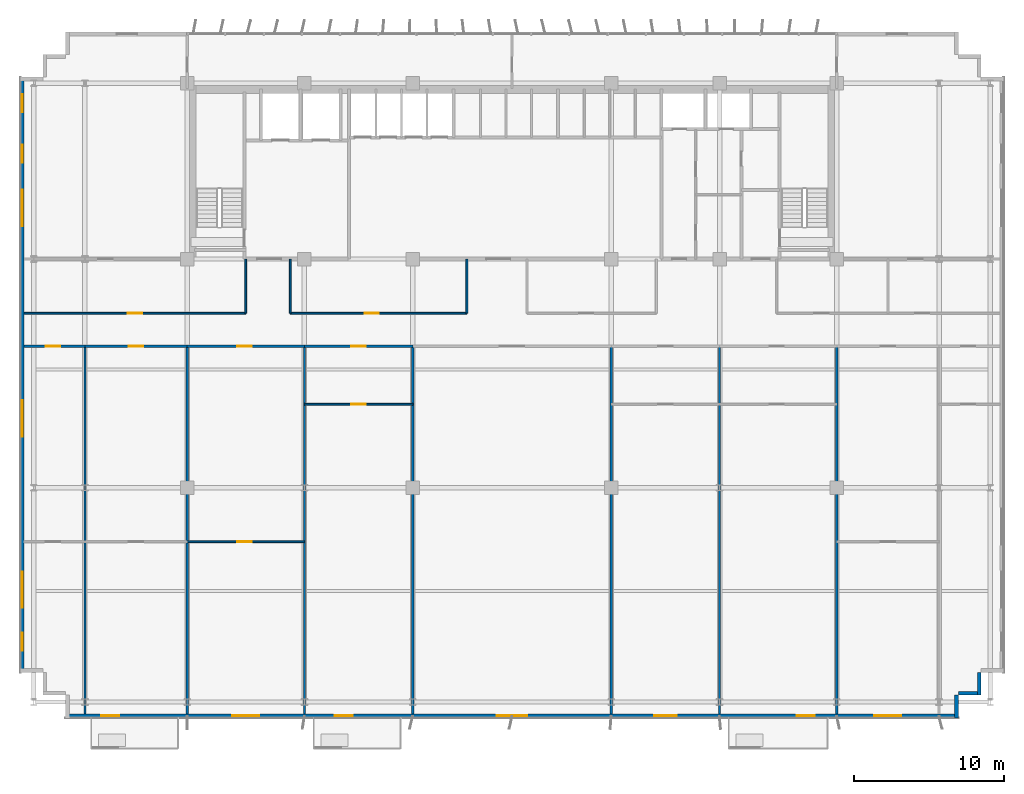
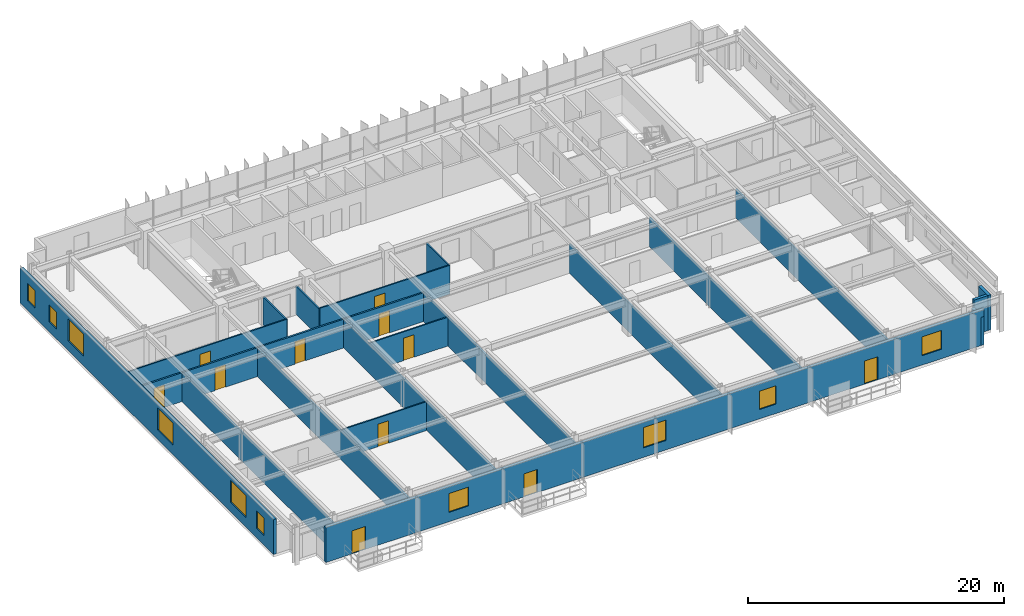
# One storey, part 15 of 21: 23 walls, 11 doors, 10 windows, 21 openings.
"""IFC4 building model written with IfcOpenShell, lengths in metres."""

from ifc_helpers import new_model, si_unit, direction, frame, frame_2d, origin, place, context, subcontext, project, spatial, rectangle, extrude, source, transform, mapped, material, layer, layer_set, type_object, element, fill, save


model = new_model("IFC4")

# Units and contexts
model_context = context("Model", 3, precision=1e-05, world=origin(), true_north=direction((0.0, 1.0)))
body_context = subcontext(model_context, "Body", "Model", "MODEL_VIEW")
ifc_project = project(units=[si_unit("LENGTHUNIT", "METRE"), si_unit("AREAUNIT", "SQUARE_METRE"), si_unit("VOLUMEUNIT", "CUBIC_METRE"), si_unit("PLANEANGLEUNIT", "RADIAN"), si_unit("MASSUNIT", "GRAM", prefix="KILO")], contexts=[model_context])

# Site, building, storey
site_placement = place(None, origin())
site = spatial("IfcSite", under=ifc_project, at=site_placement, CompositionType="ELEMENT")
building_placement = place(site_placement, origin())
building = spatial("IfcBuilding", under=site, at=building_placement, Name="Trelvane Seafront Commons", CompositionType="ELEMENT")
storey_placement = place(building_placement, frame((0.0, 0.0, 37.89990234375)))
storey = spatial("IfcBuildingStorey", under=building, at=storey_placement, Name="L09", CompositionType="ELEMENT", Elevation=37.89990234375)

# Wall, openings, windows
ifc_material_1 = material(Name="Precast concrete C40/50", Category="concrete")
ifc_layer_1 = layer(ifc_material_1, 0.260009765625, Name="ARCH-WALL-EXT260")
ifc_layer_set_1 = layer_set([ifc_layer_1], Name="Precast concrete C40/50")
wall_type_1 = type_object("IfcWallType", Name="ARCH-WALL-EXT260", PredefinedType="SOLIDWALL", material=ifc_layer_set_1)
wall_1_placement = place(storey_placement, frame((4.6298828125, 5.89990234375, 0.0), z_axis=(0.0, 0.0, 1.0), x_axis=(0.0, 1.0, 0.0)))
wall_1 = element("IfcWall", 1, at=wall_1_placement, inside=storey, type_object=wall_type_1, Name="EW-L09-00134", PredefinedType="SOLIDWALL", context=body_context, shape_type="SweptSolid", body=[
    extrude(rectangle(XDim=39.60009765625, YDim=0.260009765625, at=frame_2d((19.800048828125, 0.0))), origin(), (0.0, 0.0, 1.0), 3.340087890625),
])
opening_1_placement = place(wall_1_placement, frame((1.449951171875, 0.0, 0.919921875)))
opening_1 = element("IfcOpeningElement", 2, at=opening_1_placement, cuts=wall_1, Name="Opening W05", PredefinedType="OPENING", context=body_context, shape_type="SweptSolid", body=[
    extrude(rectangle(XDim=1.199951171875, YDim=1.64990234375, at=frame_2d((0.60009765625, 0.824951171875))), frame((0.0, 0.139892578125, 0.0), z_axis=(0.0, -1.0, 0.0), x_axis=(1.0, 0.0, 0.0)), (0.0, 0.0, 1.0), 0.280029296875),
])
opening_2_placement = place(wall_1_placement, frame((4.300048828125, 0.0, 0.919921875)))
opening_2 = element("IfcOpeningElement", 3, at=opening_2_placement, cuts=wall_1, Name="Opening W08", PredefinedType="OPENING", context=body_context, shape_type="SweptSolid", body=[
    extrude(rectangle(XDim=2.39990234375, YDim=2.10009765625, at=frame_2d((1.199951171875, 1.050048828125))), frame((0.0, 0.139892578125, 0.0), z_axis=(0.0, -1.0, 0.0), x_axis=(1.0, 0.0, 0.0)), (0.0, 0.0, 1.0), 0.280029296875),
])
opening_3_placement = place(wall_1_placement, frame((15.699951171875, 0.0, 0.919921875)))
opening_3 = element("IfcOpeningElement", 4, at=opening_3_placement, cuts=wall_1, Name="Opening W08", PredefinedType="OPENING", context=body_context, shape_type="SweptSolid", body=[
    extrude(rectangle(XDim=2.39990234375, YDim=2.10009765625, at=frame_2d((1.199951171875, 1.050048828125))), frame((0.0, 0.139892578125, 0.0), z_axis=(0.0, -1.0, 0.0), x_axis=(1.0, 0.0, 0.0)), (0.0, 0.0, 1.0), 0.280029296875),
])
opening_4_placement = place(wall_1_placement, frame((29.699951171875, 0.0, 0.919921875)))
opening_4 = element("IfcOpeningElement", 5, at=opening_4_placement, cuts=wall_1, Name="Opening W08", PredefinedType="OPENING", context=body_context, shape_type="SweptSolid", body=[
    extrude(rectangle(XDim=2.39990234375, YDim=2.10009765625, at=frame_2d((1.199951171875, 1.050048828125))), frame((0.0, 0.139892578125, 0.0), z_axis=(0.0, -1.0, 0.0), x_axis=(1.0, 0.0, 0.0)), (0.0, 0.0, 1.0), 0.280029296875),
])
opening_5_placement = place(wall_1_placement, frame((33.89990234375, 0.0, 0.919921875)))
opening_5 = element("IfcOpeningElement", 6, at=opening_5_placement, cuts=wall_1, Name="Opening W05", PredefinedType="OPENING", context=body_context, shape_type="SweptSolid", body=[
    extrude(rectangle(XDim=1.199951171875, YDim=1.64990234375, at=frame_2d((0.60009765625, 0.824951171875))), frame((0.0, 0.139892578125, 0.0), z_axis=(0.0, -1.0, 0.0), x_axis=(1.0, 0.0, 0.0)), (0.0, 0.0, 1.0), 0.280029296875),
])
opening_6_placement = place(wall_1_placement, frame((37.25, 0.0, 0.919921875)))
opening_6 = element("IfcOpeningElement", 7, at=opening_6_placement, cuts=wall_1, Name="Opening W05", PredefinedType="OPENING", context=body_context, shape_type="SweptSolid", body=[
    extrude(rectangle(XDim=1.199951171875, YDim=1.64990234375, at=frame_2d((0.60009765625, 0.824951171875))), frame((0.0, 0.139892578125, 0.0), z_axis=(0.0, -1.0, 0.0), x_axis=(1.0, 0.0, 0.0)), (0.0, 0.0, 1.0), 0.280029296875),
])
ifc_material_2 = material(Name="Low-E coastal double glazing", Category="glass")
window_type_1 = type_object("IfcWindowType", Name="ARCH-WIN-W08", PartitioningType="SINGLE_PANEL", PredefinedType="WINDOW", material=ifc_material_2)
shared_shape_1 = source(origin(), body_context, "Body", "SweptSolid", [
    extrude(rectangle(XDim=2.39990234375, YDim=2.10009765625, at=frame_2d((1.199951171875, 1.050048828125))), frame((0.0, 0.030029296875, 0.0), z_axis=(0.0, -1.0, 0.0), x_axis=(1.0, 0.0, 0.0)), (0.0, 0.0, 1.0), 0.06005859375),
])
window_1_placement = place(opening_2_placement, origin())
window_1 = element("IfcWindow", 8, at=window_1_placement, inside=storey, type_object=window_type_1, Name="WIN-L09-EW-00177", OverallHeight=2.10009765625, OverallWidth=2.39990234375, PartitioningType="SINGLE_PANEL", PredefinedType="WINDOW", context=body_context, shape_type="MappedRepresentation", body=[
    mapped(shared_shape_1, transform((0.0, 0.0, 0.0), x_axis=(1.0, 0.0, 0.0), y_axis=(0.0, 1.0, 0.0), z_axis=(0.0, 0.0, 1.0), scale=1.0)),
])
fill(opening_2, window_1)
window_2_placement = place(opening_3_placement, origin())
window_2 = element("IfcWindow", 9, at=window_2_placement, inside=storey, type_object=window_type_1, Name="WIN-L09-EW-00178", OverallHeight=2.10009765625, OverallWidth=2.39990234375, PartitioningType="SINGLE_PANEL", PredefinedType="WINDOW", context=body_context, shape_type="MappedRepresentation", body=[
    mapped(shared_shape_1, transform((0.0, 0.0, 0.0), x_axis=(1.0, 0.0, 0.0), y_axis=(0.0, 1.0, 0.0), z_axis=(0.0, 0.0, 1.0), scale=1.0)),
])
fill(opening_3, window_2)
window_3_placement = place(opening_4_placement, origin())
window_3 = element("IfcWindow", 10, at=window_3_placement, inside=storey, type_object=window_type_1, Name="WIN-L09-EW-00179", OverallHeight=2.10009765625, OverallWidth=2.39990234375, PartitioningType="SINGLE_PANEL", PredefinedType="WINDOW", context=body_context, shape_type="MappedRepresentation", body=[
    mapped(shared_shape_1, transform((0.0, 0.0, 0.0), x_axis=(1.0, 0.0, 0.0), y_axis=(0.0, 1.0, 0.0), z_axis=(0.0, 0.0, 1.0), scale=1.0)),
])
fill(opening_4, window_3)
window_type_2 = type_object("IfcWindowType", Name="ARCH-WIN-W05", PartitioningType="SINGLE_PANEL", PredefinedType="WINDOW", material=ifc_material_2)
shared_shape_2 = source(origin(), body_context, "Body", "SweptSolid", [
    extrude(rectangle(XDim=1.199951171875, YDim=1.64990234375, at=frame_2d((0.60009765625, 0.824951171875))), frame((0.0, 0.030029296875, 0.0), z_axis=(0.0, -1.0, 0.0), x_axis=(1.0, 0.0, 0.0)), (0.0, 0.0, 1.0), 0.06005859375),
])
window_4_placement = place(opening_1_placement, origin())
window_4 = element("IfcWindow", 11, at=window_4_placement, inside=storey, type_object=window_type_2, Name="WIN-L09-EW-00176", OverallHeight=1.64990234375, OverallWidth=1.199951171875, PartitioningType="SINGLE_PANEL", PredefinedType="WINDOW", context=body_context, shape_type="MappedRepresentation", body=[
    mapped(shared_shape_2, transform((0.0, 0.0, 0.0), x_axis=(1.0, 0.0, 0.0), y_axis=(0.0, 1.0, 0.0), z_axis=(0.0, 0.0, 1.0), scale=1.0)),
])
fill(opening_1, window_4)
window_5_placement = place(opening_5_placement, origin())
window_5 = element("IfcWindow", 12, at=window_5_placement, inside=storey, type_object=window_type_2, Name="WIN-L09-EW-00180", OverallHeight=1.64990234375, OverallWidth=1.199951171875, PartitioningType="SINGLE_PANEL", PredefinedType="WINDOW", context=body_context, shape_type="MappedRepresentation", body=[
    mapped(shared_shape_2, transform((0.0, 0.0, 0.0), x_axis=(1.0, 0.0, 0.0), y_axis=(0.0, 1.0, 0.0), z_axis=(0.0, 0.0, 1.0), scale=1.0)),
])
fill(opening_5, window_5)
window_6_placement = place(opening_6_placement, origin())
window_6 = element("IfcWindow", 13, at=window_6_placement, inside=storey, type_object=window_type_2, Name="WIN-L09-EW-00181", OverallHeight=1.64990234375, OverallWidth=1.199951171875, PartitioningType="SINGLE_PANEL", PredefinedType="WINDOW", context=body_context, shape_type="MappedRepresentation", body=[
    mapped(shared_shape_2, transform((0.0, 0.0, 0.0), x_axis=(1.0, 0.0, 0.0), y_axis=(0.0, 1.0, 0.0), z_axis=(0.0, 0.0, 1.0), scale=1.0)),
])
fill(opening_6, window_6)

# Walls
for number, where, z_axis, x_axis, name in (
    (14, (68.27001953125, 5.89990234375, 0.0), (0.0, 0.0, 1.0), (0.0, -1.0, 0.0), "EW-L09-00145"),
    (15, (68.39990234375, 4.530029296875, 0.0), (0.0, 0.0, 1.0), (-1.0, 0.0, 0.0), "EW-L09-00146"),
):
    element("IfcWall", number, at=place(storey_placement, frame(where, z_axis=z_axis, x_axis=x_axis)), inside=storey, type_object=wall_type_1, Name=name, PredefinedType="SOLIDWALL", context=body_context, shape_type="SweptSolid", body=[
        extrude(rectangle(XDim=1.5, YDim=0.260009765625, at=frame_2d((0.75, 0.0))), origin(), (0.0, 0.0, 1.0), 3.340087890625),
    ])
wall_2_placement = place(storey_placement, frame((66.77001953125, 4.39990234375, 0.0), z_axis=(0.0, 0.0, 1.0), x_axis=(0.0, -1.0, 0.0)))
element("IfcWall", 16, at=wall_2_placement, inside=storey, type_object=wall_type_1, Name="EW-L09-00147", PredefinedType="SOLIDWALL", context=body_context, shape_type="SweptSolid", body=[
    extrude(rectangle(XDim=1.5, YDim=0.260009765625, at=frame_2d((0.75, 0.0))), origin(), (0.0, 0.0, 1.0), 2.690185546875),
])

# Wall, openings, doors, windows
wall_3_placement = place(storey_placement, frame((66.89990234375, 3.030029296875, 0.0), z_axis=(0.0, 0.0, 1.0), x_axis=(-1.0, 0.0, 0.0)))
wall_3 = element("IfcWall", 17, at=wall_3_placement, inside=storey, type_object=wall_type_1, Name="EW-L09-00148", PredefinedType="SOLIDWALL", context=body_context, shape_type="SweptSolid", body=[
    extrude(rectangle(XDim=59.39990234375, YDim=0.260009765625, at=frame_2d((29.699951171875, 0.0))), origin(), (0.0, 0.0, 1.0), 3.340087890625),
])
opening_7_placement = place(wall_3_placement, frame((3.800048828125, 0.0, 0.89990234375)))
opening_7 = element("IfcOpeningElement", 18, at=opening_7_placement, cuts=wall_3, Name="Opening W01", PredefinedType="OPENING", context=body_context, shape_type="SweptSolid", body=[
    extrude(rectangle(XDim=1.800048828125, YDim=1.800048828125, at=frame_2d((0.89990234375, 0.89990234375))), frame((0.0, 0.139892578125, 0.0), z_axis=(0.0, -1.0, 0.0), x_axis=(1.0, 0.0, 0.0)), (0.0, 0.0, 1.0), 0.280029296875),
])
opening_8_placement = place(wall_3_placement, frame((9.56494140625, 0.0, 0.0)))
opening_8 = element("IfcOpeningElement", 19, at=opening_8_placement, cuts=wall_3, Name="Opening BD-L09-24", PredefinedType="OPENING", context=body_context, shape_type="SweptSolid", body=[
    extrude(rectangle(XDim=1.199951171875, YDim=2.199951171875, at=frame_2d((0.60009765625, 1.10009765625))), frame((0.0, 0.139892578125, 0.0), z_axis=(0.0, -1.0, 0.0), x_axis=(1.0, 0.0, 0.0)), (0.0, 0.0, 1.0), 0.280029296875),
])
opening_9_placement = place(wall_3_placement, frame((18.75, 0.0, 0.89990234375)))
opening_9 = element("IfcOpeningElement", 20, at=opening_9_placement, cuts=wall_3, Name="Opening W03", PredefinedType="OPENING", context=body_context, shape_type="SweptSolid", body=[
    extrude(rectangle(XDim=1.5, YDim=1.75, at=frame_2d((0.75, 0.875))), frame((0.0, 0.139892578125, 0.0), z_axis=(0.0, -1.0, 0.0), x_axis=(1.0, 0.0, 0.0)), (0.0, 0.0, 1.0), 0.280029296875),
])
opening_10_placement = place(wall_3_placement, frame((28.699951171875, 0.0, 0.89990234375)))
opening_10 = element("IfcOpeningElement", 21, at=opening_10_placement, cuts=wall_3, Name="Opening W06", PredefinedType="OPENING", context=body_context, shape_type="SweptSolid", body=[
    extrude(rectangle(XDim=2.0, YDim=1.949951171875, at=frame_2d((1.0, 0.97509765625))), frame((0.0, 0.139892578125, 0.0), z_axis=(0.0, -1.0, 0.0), x_axis=(1.0, 0.0, 0.0)), (0.0, 0.0, 1.0), 0.280029296875),
])
opening_11_placement = place(wall_3_placement, frame((40.301025390625, 0.0, 0.0)))
opening_11 = element("IfcOpeningElement", 22, at=opening_11_placement, cuts=wall_3, Name="Opening BD-L09-25", PredefinedType="OPENING", context=body_context, shape_type="SweptSolid", body=[
    extrude(rectangle(XDim=1.199951171875, YDim=2.199951171875, at=frame_2d((0.60009765625, 1.10009765625))), frame((0.0, 0.139892578125, 0.0), z_axis=(0.0, -1.0, 0.0), x_axis=(1.0, 0.0, 0.0)), (0.0, 0.0, 1.0), 0.280029296875),
])
opening_12_placement = place(wall_3_placement, frame((46.5, 0.0, 0.89990234375)))
opening_12 = element("IfcOpeningElement", 23, at=opening_12_placement, cuts=wall_3, Name="Opening W01", PredefinedType="OPENING", context=body_context, shape_type="SweptSolid", body=[
    extrude(rectangle(XDim=1.800048828125, YDim=1.800048828125, at=frame_2d((0.89990234375, 0.89990234375))), frame((0.0, 0.139892578125, 0.0), z_axis=(0.0, -1.0, 0.0), x_axis=(1.0, 0.0, 0.0)), (0.0, 0.0, 1.0), 0.280029296875),
])
opening_13_placement = place(wall_3_placement, frame((55.81689453125, 0.0, 0.0)))
opening_13 = element("IfcOpeningElement", 24, at=opening_13_placement, cuts=wall_3, Name="Opening BD-L09-26", PredefinedType="OPENING", context=body_context, shape_type="SweptSolid", body=[
    extrude(rectangle(XDim=1.199951171875, YDim=2.199951171875, at=frame_2d((0.60009765625, 1.10009765625))), frame((0.0, 0.139892578125, 0.0), z_axis=(0.0, -1.0, 0.0), x_axis=(1.0, 0.0, 0.0)), (0.0, 0.0, 1.0), 0.280029296875),
])
ifc_material_3 = material(Name="Powder-coated aluminium frame", Category="aluminium")
door_type_1 = type_object("IfcDoorType", Name="ARCH-DR-BAL1200", OperationType="NOTDEFINED", PredefinedType="DOOR", material=ifc_material_3)
shared_shape_3 = source(origin(), body_context, "Body", "SweptSolid", [
    extrude(rectangle(XDim=1.199951171875, YDim=2.199951171875, at=frame_2d((0.60009765625, 1.10009765625))), frame((0.0, 0.02490234375, 0.0), z_axis=(0.0, -1.0, 0.0), x_axis=(1.0, 0.0, 0.0)), (0.0, 0.0, 1.0), 0.050048828125),
])
door_1_placement = place(opening_8_placement, origin())
door_1 = element("IfcDoor", 25, at=door_1_placement, inside=storey, type_object=door_type_1, Name="L09 Balcony Terrace Access Door", OperationType="SINGLE_SWING_LEFT", OverallHeight=2.199951171875, OverallWidth=1.199951171875, PredefinedType="DOOR", context=body_context, shape_type="MappedRepresentation", body=[
    mapped(shared_shape_3, transform((0.0, 0.0, 0.0), x_axis=(1.0, 0.0, 0.0), y_axis=(0.0, 1.0, 0.0), z_axis=(0.0, 0.0, 1.0), scale=1.0)),
])
fill(opening_8, door_1)
door_2_placement = place(opening_11_placement, origin())
door_2 = element("IfcDoor", 26, at=door_2_placement, inside=storey, type_object=door_type_1, Name="L09 Balcony Terrace Access Door", OperationType="SINGLE_SWING_LEFT", OverallHeight=2.199951171875, OverallWidth=1.199951171875, PredefinedType="DOOR", context=body_context, shape_type="MappedRepresentation", body=[
    mapped(shared_shape_3, transform((0.0, 0.0, 0.0), x_axis=(1.0, 0.0, 0.0), y_axis=(0.0, 1.0, 0.0), z_axis=(0.0, 0.0, 1.0), scale=1.0)),
])
fill(opening_11, door_2)
door_3_placement = place(opening_13_placement, origin())
door_3 = element("IfcDoor", 27, at=door_3_placement, inside=storey, type_object=door_type_1, Name="L09 Balcony Terrace Access Door", OperationType="SINGLE_SWING_LEFT", OverallHeight=2.199951171875, OverallWidth=1.199951171875, PredefinedType="DOOR", context=body_context, shape_type="MappedRepresentation", body=[
    mapped(shared_shape_3, transform((0.0, 0.0, 0.0), x_axis=(1.0, 0.0, 0.0), y_axis=(0.0, 1.0, 0.0), z_axis=(0.0, 0.0, 1.0), scale=1.0)),
])
fill(opening_13, door_3)
window_type_3 = type_object("IfcWindowType", Name="ARCH-WIN-W03", PartitioningType="SINGLE_PANEL", PredefinedType="WINDOW", material=ifc_material_2)
shared_shape_4 = source(origin(), body_context, "Body", "SweptSolid", [
    extrude(rectangle(XDim=1.5, YDim=1.75, at=frame_2d((0.75, 0.875))), frame((0.0, 0.030029296875, 0.0), z_axis=(0.0, -1.0, 0.0), x_axis=(1.0, 0.0, 0.0)), (0.0, 0.0, 1.0), 0.06005859375),
])
window_7_placement = place(opening_9_placement, origin())
window_7 = element("IfcWindow", 28, at=window_7_placement, inside=storey, type_object=window_type_3, Name="WIN-L09-00189", OverallHeight=1.75, OverallWidth=1.5, PartitioningType="SINGLE_PANEL", PredefinedType="WINDOW", context=body_context, shape_type="MappedRepresentation", body=[
    mapped(shared_shape_4, transform((0.0, 0.0, 0.0), x_axis=(1.0, 0.0, 0.0), y_axis=(0.0, 1.0, 0.0), z_axis=(0.0, 0.0, 1.0), scale=1.0)),
])
fill(opening_9, window_7)
window_type_4 = type_object("IfcWindowType", Name="ARCH-WIN-W06", PartitioningType="SINGLE_PANEL", PredefinedType="WINDOW", material=ifc_material_2)
shared_shape_5 = source(origin(), body_context, "Body", "SweptSolid", [
    extrude(rectangle(XDim=2.0, YDim=1.949951171875, at=frame_2d((1.0, 0.97509765625))), frame((0.0, 0.030029296875, 0.0), z_axis=(0.0, -1.0, 0.0), x_axis=(1.0, 0.0, 0.0)), (0.0, 0.0, 1.0), 0.06005859375),
])
window_8_placement = place(opening_10_placement, origin())
window_8 = element("IfcWindow", 29, at=window_8_placement, inside=storey, type_object=window_type_4, Name="WIN-L09-00190", OverallHeight=1.949951171875, OverallWidth=2.0, PartitioningType="SINGLE_PANEL", PredefinedType="WINDOW", context=body_context, shape_type="MappedRepresentation", body=[
    mapped(shared_shape_5, transform((0.0, 0.0, 0.0), x_axis=(1.0, 0.0, 0.0), y_axis=(0.0, 1.0, 0.0), z_axis=(0.0, 0.0, 1.0), scale=1.0)),
])
fill(opening_10, window_8)
window_type_5 = type_object("IfcWindowType", Name="ARCH-WIN-W01", PartitioningType="SINGLE_PANEL", PredefinedType="WINDOW", material=ifc_material_2)
shared_shape_6 = source(origin(), body_context, "Body", "SweptSolid", [
    extrude(rectangle(XDim=1.800048828125, YDim=1.800048828125, at=frame_2d((0.89990234375, 0.89990234375))), frame((0.0, 0.030029296875, 0.0), z_axis=(0.0, -1.0, 0.0), x_axis=(1.0, 0.0, 0.0)), (0.0, 0.0, 1.0), 0.06005859375),
])
window_9_placement = place(opening_7_placement, origin())
window_9 = element("IfcWindow", 30, at=window_9_placement, inside=storey, type_object=window_type_5, Name="WIN-L09-00188", OverallHeight=1.800048828125, OverallWidth=1.800048828125, PartitioningType="SINGLE_PANEL", PredefinedType="WINDOW", context=body_context, shape_type="MappedRepresentation", body=[
    mapped(shared_shape_6, transform((0.0, 0.0, 0.0), x_axis=(1.0, 0.0, 0.0), y_axis=(0.0, 1.0, 0.0), z_axis=(0.0, 0.0, 1.0), scale=1.0)),
])
fill(opening_7, window_9)
window_10_placement = place(opening_12_placement, origin())
window_10 = element("IfcWindow", 31, at=window_10_placement, inside=storey, type_object=window_type_5, Name="WIN-L09-00191", OverallHeight=1.800048828125, OverallWidth=1.800048828125, PartitioningType="SINGLE_PANEL", PredefinedType="WINDOW", context=body_context, shape_type="MappedRepresentation", body=[
    mapped(shared_shape_6, transform((0.0, 0.0, 0.0), x_axis=(1.0, 0.0, 0.0), y_axis=(0.0, 1.0, 0.0), z_axis=(0.0, 0.0, 1.0), scale=1.0)),
])
fill(opening_12, window_10)

# Wall, opening, door
ifc_material_4 = material(Name="Gypsum Drywall Acoustic Partition")
ifc_layer_2 = layer(ifc_material_4, 0.1201171875, Name="ARCH-WALL-PART120")
ifc_layer_set_2 = layer_set([ifc_layer_2], Name="Gypsum Drywall Acoustic Partition")
wall_type_2 = type_object("IfcWallType", Name="ARCH-WALL-PART120", PredefinedType="PARTITIONING", material=ifc_layer_set_2)
wall_4_placement = place(storey_placement, frame((4.75, 29.800048828125, 0.0), z_axis=(0.0, 0.0, 1.0), x_axis=(1.0, 0.0, 0.0)))
wall_4 = element("IfcWall", 32, at=wall_4_placement, inside=storey, type_object=wall_type_2, Name="W-L09-CORR-N-W-038", PredefinedType="PARTITIONING", context=body_context, shape_type="SweptSolid", body=[
    extrude(rectangle(XDim=14.75, YDim=0.1201171875, at=frame_2d((7.375, 0.0))), origin(), (0.0, 0.0, 1.0), 2.752197265625),
])
opening_14_placement = place(wall_4_placement, frame((6.89990234375, 0.0, 0.0)))
opening_14 = element("IfcOpeningElement", 33, at=opening_14_placement, cuts=wall_4, Name="Opening D-L09-18", PredefinedType="OPENING", context=body_context, shape_type="SweptSolid", body=[
    extrude(rectangle(XDim=0.949951171875, YDim=2.14990234375, at=frame_2d((0.47509765625, 1.074951171875))), frame((0.0, 0.070068359375, 0.0), z_axis=(0.0, -1.0, 0.0), x_axis=(1.0, 0.0, 0.0)), (0.0, 0.0, 1.0), 0.14013671875),
])
ifc_material_5 = material(Name="Acoustic timber door leaf", Category="wood")
door_type_2 = type_object("IfcDoorType", Name="ARCH-DR-INT950", OperationType="NOTDEFINED", PredefinedType="DOOR", material=ifc_material_5)
shared_shape_7 = source(origin(), body_context, "Body", "SweptSolid", [
    extrude(rectangle(XDim=0.949951171875, YDim=2.14990234375, at=frame_2d((0.47509765625, 1.074951171875))), frame((0.0, 0.02490234375, 0.0), z_axis=(0.0, -1.0, 0.0), x_axis=(1.0, 0.0, 0.0)), (0.0, 0.0, 1.0), 0.050048828125),
])
door_4_placement = place(opening_14_placement, origin())
door_4 = element("IfcDoor", 34, at=door_4_placement, inside=storey, type_object=door_type_2, Name="L09 Door 18", OperationType="SINGLE_SWING_RIGHT", OverallHeight=2.14990234375, OverallWidth=0.949951171875, PredefinedType="DOOR", context=body_context, shape_type="MappedRepresentation", body=[
    mapped(shared_shape_7, transform((0.0, 0.0, 0.0), x_axis=(1.0, 0.0, 0.0), y_axis=(0.0, 1.0, 0.0), z_axis=(0.0, 0.0, 1.0), scale=1.0)),
])
fill(opening_14, door_4)

wall_5_placement = place(storey_placement, frame((22.449951171875, 29.800048828125, 0.0), z_axis=(0.0, 0.0, 1.0), x_axis=(1.0, 0.0, 0.0)))
wall_5 = element("IfcWall", 35, at=wall_5_placement, inside=storey, type_object=wall_type_2, Name="W-L09-CORR-N-M1-039", PredefinedType="PARTITIONING", context=body_context, shape_type="SweptSolid", body=[
    extrude(rectangle(XDim=11.75, YDim=0.1201171875, at=frame_2d((5.875, 0.0))), origin(), (0.0, 0.0, 1.0), 2.752197265625),
])
opening_15_placement = place(wall_5_placement, frame((4.944091796875, 0.0, 0.0)))
opening_15 = element("IfcOpeningElement", 36, at=opening_15_placement, cuts=wall_5, Name="Opening D-L09-19", PredefinedType="OPENING", context=body_context, shape_type="SweptSolid", body=[
    extrude(rectangle(XDim=0.949951171875, YDim=2.14990234375, at=frame_2d((0.47509765625, 1.074951171875))), frame((0.0, 0.070068359375, 0.0), z_axis=(0.0, -1.0, 0.0), x_axis=(1.0, 0.0, 0.0)), (0.0, 0.0, 1.0), 0.14013671875),
])
door_5_placement = place(opening_15_placement, origin())
door_5 = element("IfcDoor", 37, at=door_5_placement, inside=storey, type_object=door_type_2, Name="L09 Door 19", OperationType="SINGLE_SWING_LEFT", OverallHeight=2.14990234375, OverallWidth=0.949951171875, PredefinedType="DOOR", context=body_context, shape_type="MappedRepresentation", body=[
    mapped(shared_shape_7, transform((0.0, 0.0, 0.0), x_axis=(1.0, 0.0, 0.0), y_axis=(0.0, 1.0, 0.0), z_axis=(0.0, 0.0, 1.0), scale=1.0)),
])
fill(opening_15, door_5)

# Walls
for number, where, z_axis, x_axis, name in (
    (38, (19.5, 29.800048828125, 0.0), (0.0, 0.0, 1.0), (0.0, 1.0, 0.0), "W-L09-N-SPUR-W1-043"),
    (39, (22.449951171875, 29.800048828125, 0.0), (0.0, 0.0, 1.0), (0.0, 1.0, 0.0), "W-L09-N-SPUR-W2-044"),
    (40, (34.199951171875, 29.800048828125, 0.0), (0.0, 0.0, 1.0), (0.0, 1.0, 0.0), "W-L09-N-SPUR-M1-045"),
):
    element("IfcWall", number, at=place(storey_placement, frame(where, z_axis=z_axis, x_axis=x_axis)), inside=storey, type_object=wall_type_2, Name=name, PredefinedType="PARTITIONING", context=body_context, shape_type="SweptSolid", body=[
        extrude(rectangle(XDim=3.599853515625, YDim=0.1201171875, at=frame_2d((1.7998046875, 0.0))), origin(), (0.0, 0.0, 1.0), 2.690185546875),
    ])

# Wall, opening, door
wall_6_placement = place(storey_placement, frame((15.60009765625, 14.60009765625, 0.0), z_axis=(0.0, 0.0, 1.0), x_axis=(1.0, 0.0, 0.0)))
wall_6 = element("IfcWall", 41, at=wall_6_placement, inside=storey, type_object=wall_type_2, Name="W-L09-U3-DIV-067", PredefinedType="PARTITIONING", context=body_context, shape_type="SweptSolid", body=[
    extrude(rectangle(XDim=7.7998046875, YDim=0.1201171875, at=frame_2d((3.89990234375, 0.0))), origin(), (0.0, 0.0, 1.0), 2.752197265625),
])
opening_16_placement = place(wall_6_placement, frame((3.3330078125, 0.0, 0.0)))
opening_16 = element("IfcOpeningElement", 42, at=opening_16_placement, cuts=wall_6, Name="Opening D-L09-33", PredefinedType="OPENING", context=body_context, shape_type="SweptSolid", body=[
    extrude(rectangle(XDim=0.949951171875, YDim=2.14990234375, at=frame_2d((0.47509765625, 1.074951171875))), frame((0.0, 0.070068359375, 0.0), z_axis=(0.0, -1.0, 0.0), x_axis=(1.0, 0.0, 0.0)), (0.0, 0.0, 1.0), 0.14013671875),
])
door_6_placement = place(opening_16_placement, origin())
door_6 = element("IfcDoor", 43, at=door_6_placement, inside=storey, type_object=door_type_2, Name="L09 Door 33", OperationType="SINGLE_SWING_LEFT", OverallHeight=2.14990234375, OverallWidth=0.949951171875, PredefinedType="DOOR", context=body_context, shape_type="MappedRepresentation", body=[
    mapped(shared_shape_7, transform((0.0, 0.0, 0.0), x_axis=(1.0, 0.0, 0.0), y_axis=(0.0, 1.0, 0.0), z_axis=(0.0, 0.0, 1.0), scale=1.0)),
])
fill(opening_16, door_6)

wall_7_placement = place(storey_placement, frame((23.39990234375, 23.75, 0.0), z_axis=(0.0, 0.0, 1.0), x_axis=(1.0, 0.0, 0.0)))
wall_7 = element("IfcWall", 44, at=wall_7_placement, inside=storey, type_object=wall_type_2, Name="W-L09-U4-DIV-069", PredefinedType="PARTITIONING", context=body_context, shape_type="SweptSolid", body=[
    extrude(rectangle(XDim=7.2001953125, YDim=0.1201171875, at=frame_2d((3.60009765625, 0.0))), origin(), (0.0, 0.0, 1.0), 2.752197265625),
])
opening_17_placement = place(wall_7_placement, frame((3.125, 0.0, 0.0)))
opening_17 = element("IfcOpeningElement", 45, at=opening_17_placement, cuts=wall_7, Name="Opening D-L09-35", PredefinedType="OPENING", context=body_context, shape_type="SweptSolid", body=[
    extrude(rectangle(XDim=0.949951171875, YDim=2.14990234375, at=frame_2d((0.47509765625, 1.074951171875))), frame((0.0, 0.070068359375, 0.0), z_axis=(0.0, -1.0, 0.0), x_axis=(1.0, 0.0, 0.0)), (0.0, 0.0, 1.0), 0.14013671875),
])
door_7_placement = place(opening_17_placement, origin())
door_7 = element("IfcDoor", 46, at=door_7_placement, inside=storey, type_object=door_type_2, Name="L09 Door 35", OperationType="SINGLE_SWING_LEFT", OverallHeight=2.14990234375, OverallWidth=0.949951171875, PredefinedType="DOOR", context=body_context, shape_type="MappedRepresentation", body=[
    mapped(shared_shape_7, transform((0.0, 0.0, 0.0), x_axis=(1.0, 0.0, 0.0), y_axis=(0.0, 1.0, 0.0), z_axis=(0.0, 0.0, 1.0), scale=1.0)),
])
fill(opening_17, door_7)

# Walls
ifc_layer_3 = layer(ifc_material_4, 0.14990234375, Name="ARCH-WALL-PART150")
ifc_layer_set_3 = layer_set([ifc_layer_3], Name="Gypsum Drywall Acoustic Partition")
wall_type_3 = type_object("IfcWallType", Name="ARCH-WALL-PART150", PredefinedType="PARTITIONING", material=ifc_layer_set_3)
for number, where, z_axis, x_axis, name in (
    (47, (8.800048828125, 3.14501953125, 0.0), (0.0, 0.0, 1.0), (0.0, 1.0, 0.0), "W-L09-PW-1-054"),
    (48, (15.60009765625, 3.14501953125, 0.0), (0.0, 0.0, 1.0), (0.0, 1.0, 0.0), "W-L09-PW-2-055"),
    (49, (23.39990234375, 3.14501953125, 0.0), (0.0, 0.0, 1.0), (0.0, 1.0, 0.0), "W-L09-PW-3-056"),
    (50, (30.60009765625, 3.14501953125, 0.0), (0.0, 0.0, 1.0), (0.0, 1.0, 0.0), "W-L09-PW-4-057"),
    (51, (43.800048828125, 3.14501953125, 0.0), (0.0, 0.0, 1.0), (0.0, 1.0, 0.0), "W-L09-PW-5-058"),
    (52, (51.0, 3.14501953125, 0.0), (0.0, 0.0, 1.0), (0.0, 1.0, 0.0), "W-L09-PW-6-059"),
    (53, (58.800048828125, 3.14501953125, 0.0), (0.0, 0.0, 1.0), (0.0, 1.0, 0.0), "W-L09-PW-7-060"),
):
    element("IfcWall", number, at=place(storey_placement, frame(where, z_axis=z_axis, x_axis=x_axis)), inside=storey, type_object=wall_type_3, Name=name, PredefinedType="PARTITIONING", context=body_context, shape_type="SweptSolid", body=[
        extrude(rectangle(XDim=24.455078125, YDim=0.14990234375, at=frame_2d((12.2275390625, 0.0))), origin(), (0.0, 0.0, 1.0), 2.752197265625),
    ])

# Wall, opening, door
wall_8_placement = place(storey_placement, frame((4.7451171875, 27.60009765625, 0.0), z_axis=(0.0, 0.0, 1.0), x_axis=(1.0, 0.0, 0.0)))
wall_8 = element("IfcWall", 54, at=wall_8_placement, inside=storey, type_object=wall_type_3, Name="W-L09-CS-BAY-1-062", PredefinedType="PARTITIONING", context=body_context, shape_type="SweptSolid", body=[
    extrude(rectangle(XDim=4.054931640625, YDim=0.14990234375, at=frame_2d((2.02734375, 0.0))), origin(), (0.0, 0.0, 1.0), 2.752197265625),
])
opening_18_placement = place(wall_8_placement, frame((1.4619140625, 0.0, 0.0)))
opening_18 = element("IfcOpeningElement", 55, at=opening_18_placement, cuts=wall_8, Name="Opening FD-L09-28", PredefinedType="OPENING", context=body_context, shape_type="SweptSolid", body=[
    extrude(rectangle(XDim=0.949951171875, YDim=2.14990234375, at=frame_2d((0.47509765625, 1.074951171875))), frame((0.0, 0.0849609375, 0.0), z_axis=(0.0, -1.0, 0.0), x_axis=(1.0, 0.0, 0.0)), (0.0, 0.0, 1.0), 0.169921875),
])
door_type_3 = type_object("IfcDoorType", Name="ARCH-DR-FD60-950", OperationType="NOTDEFINED", PredefinedType="DOOR", material=ifc_material_3)
door_8_placement = place(opening_18_placement, origin())
door_8 = element("IfcDoor", 56, at=door_8_placement, inside=storey, type_object=door_type_3, Name="L09 Bay 01 Entrance Door", OperationType="SINGLE_SWING_RIGHT", OverallHeight=2.14990234375, OverallWidth=0.949951171875, PredefinedType="DOOR", context=body_context, shape_type="MappedRepresentation", body=[
    mapped(shared_shape_7, transform((0.0, 0.0, 0.0), x_axis=(1.0, 0.0, 0.0), y_axis=(0.0, 1.0, 0.0), z_axis=(0.0, 0.0, 1.0), scale=1.0)),
])
fill(opening_18, door_8)

wall_9_placement = place(storey_placement, frame((8.800048828125, 27.60009765625, 0.0), z_axis=(0.0, 0.0, 1.0), x_axis=(1.0, 0.0, 0.0)))
wall_9 = element("IfcWall", 57, at=wall_9_placement, inside=storey, type_object=wall_type_3, Name="W-L09-CS-BAY-2-064", PredefinedType="PARTITIONING", context=body_context, shape_type="SweptSolid", body=[
    extrude(rectangle(XDim=6.800048828125, YDim=0.14990234375, at=frame_2d((3.39990234375, 0.0))), origin(), (0.0, 0.0, 1.0), 2.752197265625),
])
opening_19_placement = place(wall_9_placement, frame((2.925048828125, 0.0, 0.0)))
opening_19 = element("IfcOpeningElement", 58, at=opening_19_placement, cuts=wall_9, Name="Opening FD-L09-30", PredefinedType="OPENING", context=body_context, shape_type="SweptSolid", body=[
    extrude(rectangle(XDim=0.949951171875, YDim=2.14990234375, at=frame_2d((0.47509765625, 1.074951171875))), frame((0.0, 0.0849609375, 0.0), z_axis=(0.0, -1.0, 0.0), x_axis=(1.0, 0.0, 0.0)), (0.0, 0.0, 1.0), 0.169921875),
])
door_9_placement = place(opening_19_placement, origin())
door_9 = element("IfcDoor", 59, at=door_9_placement, inside=storey, type_object=door_type_3, Name="L09 Bay 02 Entrance Door", OperationType="SINGLE_SWING_RIGHT", OverallHeight=2.14990234375, OverallWidth=0.949951171875, PredefinedType="DOOR", context=body_context, shape_type="MappedRepresentation", body=[
    mapped(shared_shape_7, transform((0.0, 0.0, 0.0), x_axis=(1.0, 0.0, 0.0), y_axis=(0.0, 1.0, 0.0), z_axis=(0.0, 0.0, 1.0), scale=1.0)),
])
fill(opening_19, door_9)

wall_10_placement = place(storey_placement, frame((15.60009765625, 27.60009765625, 0.0), z_axis=(0.0, 0.0, 1.0), x_axis=(1.0, 0.0, 0.0)))
wall_10 = element("IfcWall", 60, at=wall_10_placement, inside=storey, type_object=wall_type_3, Name="W-L09-CS-BAY-3-066", PredefinedType="PARTITIONING", context=body_context, shape_type="SweptSolid", body=[
    extrude(rectangle(XDim=7.7998046875, YDim=0.14990234375, at=frame_2d((3.89990234375, 0.0))), origin(), (0.0, 0.0, 1.0), 2.752197265625),
])
opening_20_placement = place(wall_10_placement, frame((3.3330078125, 0.0, 0.0)))
opening_20 = element("IfcOpeningElement", 61, at=opening_20_placement, cuts=wall_10, Name="Opening FD-L09-32", PredefinedType="OPENING", context=body_context, shape_type="SweptSolid", body=[
    extrude(rectangle(XDim=0.949951171875, YDim=2.14990234375, at=frame_2d((0.47509765625, 1.074951171875))), frame((0.0, 0.0849609375, 0.0), z_axis=(0.0, -1.0, 0.0), x_axis=(1.0, 0.0, 0.0)), (0.0, 0.0, 1.0), 0.169921875),
])
door_10_placement = place(opening_20_placement, origin())
door_10 = element("IfcDoor", 62, at=door_10_placement, inside=storey, type_object=door_type_3, Name="L09 Bay 03 Entrance Door", OperationType="SINGLE_SWING_RIGHT", OverallHeight=2.14990234375, OverallWidth=0.949951171875, PredefinedType="DOOR", context=body_context, shape_type="MappedRepresentation", body=[
    mapped(shared_shape_7, transform((0.0, 0.0, 0.0), x_axis=(1.0, 0.0, 0.0), y_axis=(0.0, 1.0, 0.0), z_axis=(0.0, 0.0, 1.0), scale=1.0)),
])
fill(opening_20, door_10)

wall_11_placement = place(storey_placement, frame((23.39990234375, 27.60009765625, 0.0), z_axis=(0.0, 0.0, 1.0), x_axis=(1.0, 0.0, 0.0)))
wall_11 = element("IfcWall", 63, at=wall_11_placement, inside=storey, type_object=wall_type_3, Name="W-L09-CS-BAY-4-068", PredefinedType="PARTITIONING", context=body_context, shape_type="SweptSolid", body=[
    extrude(rectangle(XDim=7.2001953125, YDim=0.14990234375, at=frame_2d((3.60009765625, 0.0))), origin(), (0.0, 0.0, 1.0), 2.752197265625),
])
opening_21_placement = place(wall_11_placement, frame((3.125, 0.0, 0.0)))
opening_21 = element("IfcOpeningElement", 64, at=opening_21_placement, cuts=wall_11, Name="Opening FD-L09-34", PredefinedType="OPENING", context=body_context, shape_type="SweptSolid", body=[
    extrude(rectangle(XDim=0.949951171875, YDim=2.14990234375, at=frame_2d((0.47509765625, 1.074951171875))), frame((0.0, 0.0849609375, 0.0), z_axis=(0.0, -1.0, 0.0), x_axis=(1.0, 0.0, 0.0)), (0.0, 0.0, 1.0), 0.169921875),
])
door_11_placement = place(opening_21_placement, origin())
door_11 = element("IfcDoor", 65, at=door_11_placement, inside=storey, type_object=door_type_3, Name="L09 Bay 04 Entrance Door", OperationType="SINGLE_SWING_RIGHT", OverallHeight=2.14990234375, OverallWidth=0.949951171875, PredefinedType="DOOR", context=body_context, shape_type="MappedRepresentation", body=[
    mapped(shared_shape_7, transform((0.0, 0.0, 0.0), x_axis=(1.0, 0.0, 0.0), y_axis=(0.0, 1.0, 0.0), z_axis=(0.0, 0.0, 1.0), scale=1.0)),
])
fill(opening_21, door_11)

save(model, "model.ifc")
